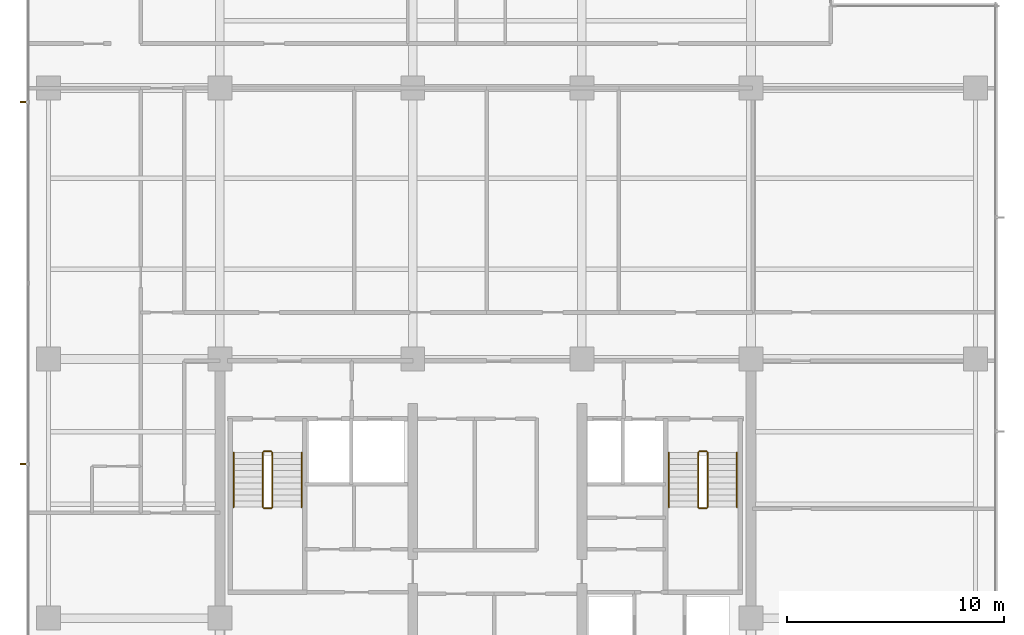
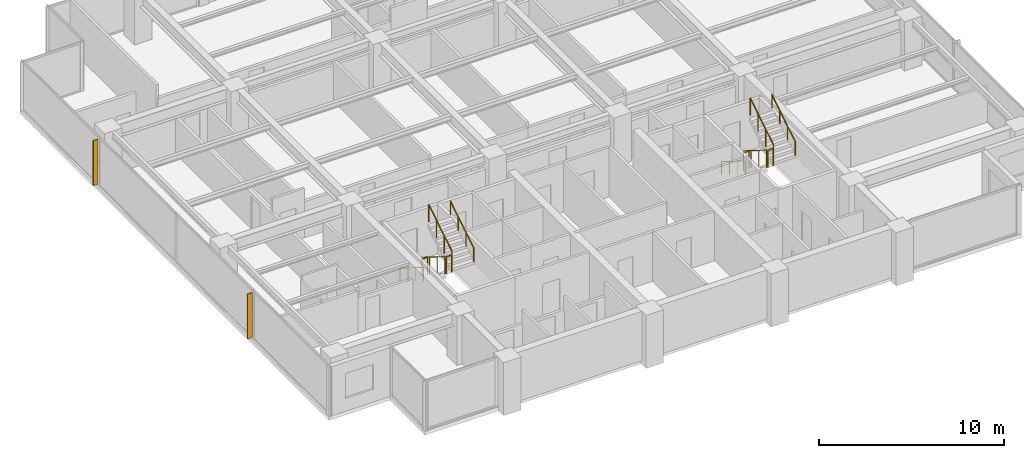
# One storey, part 13 of 14: 12 railings, 2 shading devices.
"""IFC4 building model written with IfcOpenShell, lengths in metres."""

from ifc_helpers import new_model, si_unit, direction, frame, origin, origin_2d, place, context, subcontext, project, spatial, polyline, circle, outline, extrude, material, layer, layer_set, type_object, element, save


model = new_model("IFC4")

# Units and contexts
model_context = context("Model", 3, precision=1e-05, world=origin(), true_north=direction((0.0, 1.0)))
body_context = subcontext(model_context, "Body", "Model", "MODEL_VIEW")
ifc_project = project(units=[si_unit("LENGTHUNIT", "METRE"), si_unit("AREAUNIT", "SQUARE_METRE"), si_unit("VOLUMEUNIT", "CUBIC_METRE"), si_unit("PLANEANGLEUNIT", "RADIAN"), si_unit("MASSUNIT", "GRAM", prefix="KILO")], contexts=[model_context])

# Site, building, storey
site_placement = place(None, origin())
site = spatial("IfcSite", under=ifc_project, at=site_placement, CompositionType="ELEMENT")
building_placement = place(site_placement, origin())
building = spatial("IfcBuilding", under=site, at=building_placement, Name="Qalmaran Belvedere Hotel", CompositionType="ELEMENT")
storey_placement = place(building_placement, frame((0.0, 0.0, 177.10009765625)))
storey = spatial("IfcBuildingStorey", under=building, at=storey_placement, Name="L45", CompositionType="ELEMENT", Elevation=177.10009765625)

# Shading devices
ifc_material_1 = material(Name="Anodised Bronze Aluminium", Category="aluminium")
ifc_layer = layer(ifc_material_1, 0.06494140625, Name="Anodised Bronze Aluminium")
ifc_layer_set = layer_set([ifc_layer], Name="Anodised Bronze Aluminium")
shading_device_type = type_object("IfcShadingDeviceType", Name="FIN-BRNZ-300", PredefinedType="USERDEFINED", material=ifc_layer_set)
shading_device_1_placement = place(storey_placement, frame((0.0, 0.0, 0.159912109375)))
element("IfcShadingDevice", 1, at=shading_device_1_placement, inside=storey, type_object=shading_device_type, Name="L45 Bronze Fin 1", ObjectType="FIN", PredefinedType="USERDEFINED", context=body_context, shape_type="SweptSolid", body=[
    extrude(outline(polyline([(11.3798828125, 32.382568359375), (11.080078125, 32.382568359375), (11.080078125, 32.3173828125), (11.3798828125, 32.3173828125), (11.3798828125, 32.382568359375)])), origin(), (0.0, 0.0, 1.0), 2.969970703125),
])
shading_device_2_placement = place(storey_placement, frame((0.0, 0.0, 0.159912109375)))
element("IfcShadingDevice", 2, at=shading_device_2_placement, inside=storey, type_object=shading_device_type, Name="L45 Bronze Fin 3", ObjectType="FIN", PredefinedType="USERDEFINED", context=body_context, shape_type="SweptSolid", body=[
    extrude(outline(polyline([(11.3798828125, 15.6826171875), (11.080078125, 15.6826171875), (11.080078125, 15.617431640625), (11.3798828125, 15.617431640625), (11.3798828125, 15.6826171875)])), origin(), (0.0, 0.0, 1.0), 2.969970703125),
])

# Railings
ifc_material_2 = material(Name="Stainless Steel 1.4401", Category="steel")
railing_type_1 = type_object("IfcRailingType", Name="RLG-STAIR-GUARD-1150", PredefinedType="GUARDRAIL", material=ifc_material_2)
railing_1_placement = place(storey_placement, frame((22.280029296875, 16.18994140625, 0.1748046875)))
element("IfcRailing", 3, at=railing_1_placement, inside=storey, type_object=railing_type_1, Name="L45 ST-1 stair guard 1", PredefinedType="GUARDRAIL", context=body_context, shape_type="SweptSolid", body=[
    extrude(circle(Radius=0.02392578125, at=origin_2d()), frame((0.0, 0.0, 1.1259765625), z_axis=(0.0, -0.847970611238, 0.530043245855), x_axis=(1.0, 0.0, 0.0)), (0.0, 0.0, 1.0), 2.971923828125),
    extrude(circle(Radius=0.02099609375, at=origin_2d()), origin(), (0.0, 0.0, 1.0), 1.101806640625),
    extrude(circle(Radius=0.02099609375, at=origin_2d()), frame((0.0, -0.840087890625, 0.525146484375)), (0.0, 0.0, 1.0), 1.101806640625),
    extrude(circle(Radius=0.02099609375, at=origin_2d()), frame((0.0, -1.679931640625, 1.050048828125)), (0.0, 0.0, 1.0), 1.101806640625),
    extrude(circle(Radius=0.02099609375, at=origin_2d()), frame((0.0, -2.52001953125, 1.5751953125)), (0.0, 0.0, 1.0), 1.101806640625),
])
railing_2_placement = place(storey_placement, frame((22.330078125, 13.6201171875, 1.75)))
element("IfcRailing", 4, at=railing_2_placement, inside=storey, type_object=railing_type_1, Name="L45 ST-1 stair guard 2", PredefinedType="GUARDRAIL", context=body_context, shape_type="SweptSolid", body=[
    extrude(circle(Radius=0.02392578125, at=origin_2d()), frame((0.0, 0.0, 1.1259765625), z_axis=(1.0, 0.0, 0.0), x_axis=(0.0, 1.0, 0.0)), (0.0, 0.0, 1.0), 0.33984375),
    extrude(circle(Radius=0.02099609375, at=origin_2d()), origin(), (0.0, 0.0, 1.0), 1.101806640625),
    extrude(circle(Radius=0.02099609375, at=origin_2d()), frame((0.33984375, 0.0, 0.0)), (0.0, 0.0, 1.0), 1.101806640625),
])
railing_3_placement = place(storey_placement, frame((22.719970703125, 13.669921875, 1.9248046875)))
element("IfcRailing", 5, at=railing_3_placement, inside=storey, type_object=railing_type_1, Name="L45 ST-1 stair guard 3", PredefinedType="GUARDRAIL", context=body_context, shape_type="SweptSolid", body=[
    extrude(circle(Radius=0.02392578125, at=origin_2d()), frame((0.0, 0.0, 1.1259765625), z_axis=(0.0, 0.847970611238, 0.530043245855), x_axis=(-1.0, 0.0, 0.0)), (0.0, 0.0, 1.0), 2.971923828125),
    extrude(circle(Radius=0.02099609375, at=origin_2d()), origin(), (0.0, 0.0, 1.0), 1.101806640625),
    extrude(circle(Radius=0.02099609375, at=origin_2d()), frame((0.0, 0.840087890625, 0.525146484375)), (0.0, 0.0, 1.0), 1.101806640625),
    extrude(circle(Radius=0.02099609375, at=origin_2d()), frame((0.0, 1.679931640625, 1.050048828125)), (0.0, 0.0, 1.0), 1.101806640625),
    extrude(circle(Radius=0.02099609375, at=origin_2d()), frame((0.0, 2.52001953125, 1.5751953125)), (0.0, 0.0, 1.0), 1.101806640625),
])
railing_4_placement = place(storey_placement, frame((22.330078125, 16.239990234375, 0.0)))
element("IfcRailing", 6, at=railing_4_placement, inside=storey, type_object=railing_type_1, Name="L45 ST-1 stair guard 4", PredefinedType="GUARDRAIL", context=body_context, shape_type="SweptSolid", body=[
    extrude(circle(Radius=0.02392578125, at=origin_2d()), frame((0.0, 0.0, 1.1259765625), z_axis=(1.0, 0.0, 0.0), x_axis=(0.0, 1.0, 0.0)), (0.0, 0.0, 1.0), 0.33984375),
    extrude(circle(Radius=0.02099609375, at=origin_2d()), origin(), (0.0, 0.0, 1.0), 1.101806640625),
    extrude(circle(Radius=0.02099609375, at=origin_2d()), frame((0.33984375, 0.0, 0.0)), (0.0, 0.0, 1.0), 1.101806640625),
])
railing_5_placement = place(storey_placement, frame((42.360107421875, 16.18994140625, 0.1748046875)))
element("IfcRailing", 7, at=railing_5_placement, inside=storey, type_object=railing_type_1, Name="L45 ST-2 stair guard 1", PredefinedType="GUARDRAIL", context=body_context, shape_type="SweptSolid", body=[
    extrude(circle(Radius=0.02392578125, at=origin_2d()), frame((0.0, 0.0, 1.1259765625), z_axis=(0.0, -0.847970611238, 0.530043245855), x_axis=(1.0, 0.0, 0.0)), (0.0, 0.0, 1.0), 2.971923828125),
    extrude(circle(Radius=0.02099609375, at=origin_2d()), origin(), (0.0, 0.0, 1.0), 1.101806640625),
    extrude(circle(Radius=0.02099609375, at=origin_2d()), frame((0.0, -0.840087890625, 0.525146484375)), (0.0, 0.0, 1.0), 1.101806640625),
    extrude(circle(Radius=0.02099609375, at=origin_2d()), frame((0.0, -1.679931640625, 1.050048828125)), (0.0, 0.0, 1.0), 1.101806640625),
    extrude(circle(Radius=0.02099609375, at=origin_2d()), frame((0.0, -2.52001953125, 1.5751953125)), (0.0, 0.0, 1.0), 1.101806640625),
])
railing_6_placement = place(storey_placement, frame((42.409912109375, 13.6201171875, 1.75)))
element("IfcRailing", 8, at=railing_6_placement, inside=storey, type_object=railing_type_1, Name="L45 ST-2 stair guard 2", PredefinedType="GUARDRAIL", context=body_context, shape_type="SweptSolid", body=[
    extrude(circle(Radius=0.02392578125, at=origin_2d()), frame((0.0, 0.0, 1.1259765625), z_axis=(1.0, 0.0, 0.0), x_axis=(0.0, 1.0, 0.0)), (0.0, 0.0, 1.0), 0.340087890625),
    extrude(circle(Radius=0.02099609375, at=origin_2d()), origin(), (0.0, 0.0, 1.0), 1.101806640625),
    extrude(circle(Radius=0.02099609375, at=origin_2d()), frame((0.340087890625, 0.0, 0.0)), (0.0, 0.0, 1.0), 1.101806640625),
])
railing_7_placement = place(storey_placement, frame((42.800048828125, 13.669921875, 1.9248046875)))
element("IfcRailing", 9, at=railing_7_placement, inside=storey, type_object=railing_type_1, Name="L45 ST-2 stair guard 3", PredefinedType="GUARDRAIL", context=body_context, shape_type="SweptSolid", body=[
    extrude(circle(Radius=0.02392578125, at=origin_2d()), frame((0.0, 0.0, 1.1259765625), z_axis=(0.0, 0.847970611238, 0.530043245855), x_axis=(-1.0, 0.0, 0.0)), (0.0, 0.0, 1.0), 2.971923828125),
    extrude(circle(Radius=0.02099609375, at=origin_2d()), origin(), (0.0, 0.0, 1.0), 1.101806640625),
    extrude(circle(Radius=0.02099609375, at=origin_2d()), frame((0.0, 0.840087890625, 0.525146484375)), (0.0, 0.0, 1.0), 1.101806640625),
    extrude(circle(Radius=0.02099609375, at=origin_2d()), frame((0.0, 1.679931640625, 1.050048828125)), (0.0, 0.0, 1.0), 1.101806640625),
    extrude(circle(Radius=0.02099609375, at=origin_2d()), frame((0.0, 2.52001953125, 1.5751953125)), (0.0, 0.0, 1.0), 1.101806640625),
])
railing_8_placement = place(storey_placement, frame((42.409912109375, 16.239990234375, 0.0)))
element("IfcRailing", 10, at=railing_8_placement, inside=storey, type_object=railing_type_1, Name="L45 ST-2 stair guard 4", PredefinedType="GUARDRAIL", context=body_context, shape_type="SweptSolid", body=[
    extrude(circle(Radius=0.02392578125, at=origin_2d()), frame((0.0, 0.0, 1.1259765625), z_axis=(1.0, 0.0, 0.0), x_axis=(0.0, 1.0, 0.0)), (0.0, 0.0, 1.0), 0.340087890625),
    extrude(circle(Radius=0.02099609375, at=origin_2d()), origin(), (0.0, 0.0, 1.0), 1.101806640625),
    extrude(circle(Radius=0.02099609375, at=origin_2d()), frame((0.340087890625, 0.0, 0.0)), (0.0, 0.0, 1.0), 1.101806640625),
])
railing_type_2 = type_object("IfcRailingType", Name="RLG-STAIR-HAND-910", PredefinedType="HANDRAIL", material=ifc_material_2)
railing_9_placement = place(storey_placement, frame((20.929931640625, 16.18994140625, 0.1748046875)))
element("IfcRailing", 11, at=railing_9_placement, inside=storey, type_object=railing_type_2, Name="L45 ST-1 stair handrail 1", PredefinedType="HANDRAIL", context=body_context, shape_type="SweptSolid", body=[
    extrude(circle(Radius=0.02392578125, at=origin_2d()), frame((0.0, 0.0, 0.8857421875), z_axis=(0.0, -0.847970611238, 0.530043245855), x_axis=(1.0, 0.0, 0.0)), (0.0, 0.0, 1.0), 2.971923828125),
    extrude(circle(Radius=0.02099609375, at=origin_2d()), origin(), (0.0, 0.0, 1.0), 0.86181640625),
    extrude(circle(Radius=0.02099609375, at=origin_2d()), frame((0.0, -0.840087890625, 0.525146484375)), (0.0, 0.0, 1.0), 0.86181640625),
    extrude(circle(Radius=0.02099609375, at=origin_2d()), frame((0.0, -1.679931640625, 1.050048828125)), (0.0, 0.0, 1.0), 0.86181640625),
    extrude(circle(Radius=0.02099609375, at=origin_2d()), frame((0.0, -2.52001953125, 1.5751953125)), (0.0, 0.0, 1.0), 0.86181640625),
])
railing_10_placement = place(storey_placement, frame((24.070068359375, 13.669921875, 1.9248046875)))
element("IfcRailing", 12, at=railing_10_placement, inside=storey, type_object=railing_type_2, Name="L45 ST-1 stair handrail 2", PredefinedType="HANDRAIL", context=body_context, shape_type="SweptSolid", body=[
    extrude(circle(Radius=0.02392578125, at=origin_2d()), frame((0.0, 0.0, 0.8857421875), z_axis=(0.0, 0.847970611238, 0.530043245855), x_axis=(-1.0, 0.0, 0.0)), (0.0, 0.0, 1.0), 2.971923828125),
    extrude(circle(Radius=0.02099609375, at=origin_2d()), origin(), (0.0, 0.0, 1.0), 0.86181640625),
    extrude(circle(Radius=0.02099609375, at=origin_2d()), frame((0.0, 0.840087890625, 0.525146484375)), (0.0, 0.0, 1.0), 0.86181640625),
    extrude(circle(Radius=0.02099609375, at=origin_2d()), frame((0.0, 1.679931640625, 1.050048828125)), (0.0, 0.0, 1.0), 0.86181640625),
    extrude(circle(Radius=0.02099609375, at=origin_2d()), frame((0.0, 2.52001953125, 1.5751953125)), (0.0, 0.0, 1.0), 0.86181640625),
])
railing_11_placement = place(storey_placement, frame((41.010009765625, 16.18994140625, 0.1748046875)))
element("IfcRailing", 13, at=railing_11_placement, inside=storey, type_object=railing_type_2, Name="L45 ST-2 stair handrail 1", PredefinedType="HANDRAIL", context=body_context, shape_type="SweptSolid", body=[
    extrude(circle(Radius=0.02392578125, at=origin_2d()), frame((0.0, 0.0, 0.8857421875), z_axis=(0.0, -0.847970611238, 0.530043245855), x_axis=(1.0, 0.0, 0.0)), (0.0, 0.0, 1.0), 2.971923828125),
    extrude(circle(Radius=0.02099609375, at=origin_2d()), origin(), (0.0, 0.0, 1.0), 0.86181640625),
    extrude(circle(Radius=0.02099609375, at=origin_2d()), frame((0.0, -0.840087890625, 0.525146484375)), (0.0, 0.0, 1.0), 0.86181640625),
    extrude(circle(Radius=0.02099609375, at=origin_2d()), frame((0.0, -1.679931640625, 1.050048828125)), (0.0, 0.0, 1.0), 0.86181640625),
    extrude(circle(Radius=0.02099609375, at=origin_2d()), frame((0.0, -2.52001953125, 1.5751953125)), (0.0, 0.0, 1.0), 0.86181640625),
])
railing_12_placement = place(storey_placement, frame((44.14990234375, 13.669921875, 1.9248046875)))
element("IfcRailing", 14, at=railing_12_placement, inside=storey, type_object=railing_type_2, Name="L45 ST-2 stair handrail 2", PredefinedType="HANDRAIL", context=body_context, shape_type="SweptSolid", body=[
    extrude(circle(Radius=0.02392578125, at=origin_2d()), frame((0.0, 0.0, 0.8857421875), z_axis=(0.0, 0.847970611238, 0.530043245855), x_axis=(-1.0, 0.0, 0.0)), (0.0, 0.0, 1.0), 2.971923828125),
    extrude(circle(Radius=0.02099609375, at=origin_2d()), origin(), (0.0, 0.0, 1.0), 0.86181640625),
    extrude(circle(Radius=0.02099609375, at=origin_2d()), frame((0.0, 0.840087890625, 0.525146484375)), (0.0, 0.0, 1.0), 0.86181640625),
    extrude(circle(Radius=0.02099609375, at=origin_2d()), frame((0.0, 1.679931640625, 1.050048828125)), (0.0, 0.0, 1.0), 0.86181640625),
    extrude(circle(Radius=0.02099609375, at=origin_2d()), frame((0.0, 2.52001953125, 1.5751953125)), (0.0, 0.0, 1.0), 0.86181640625),
])

save(model, "model.ifc")
